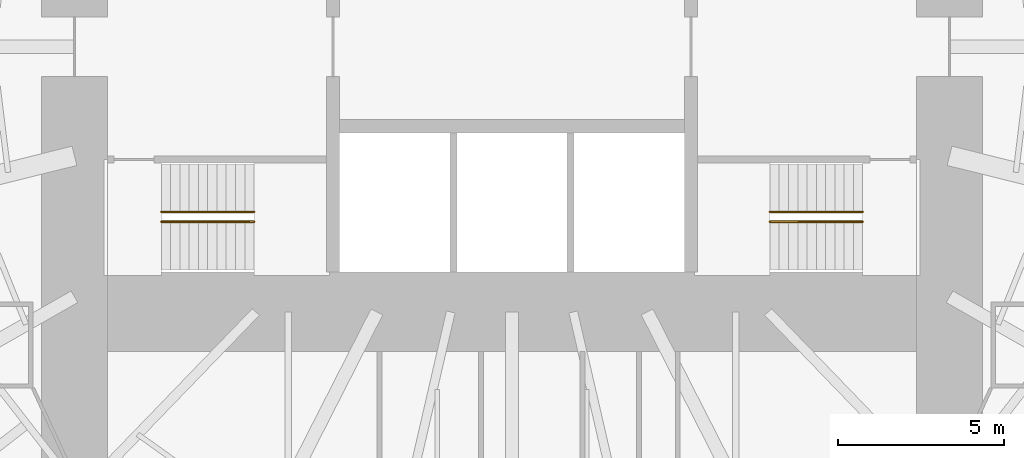
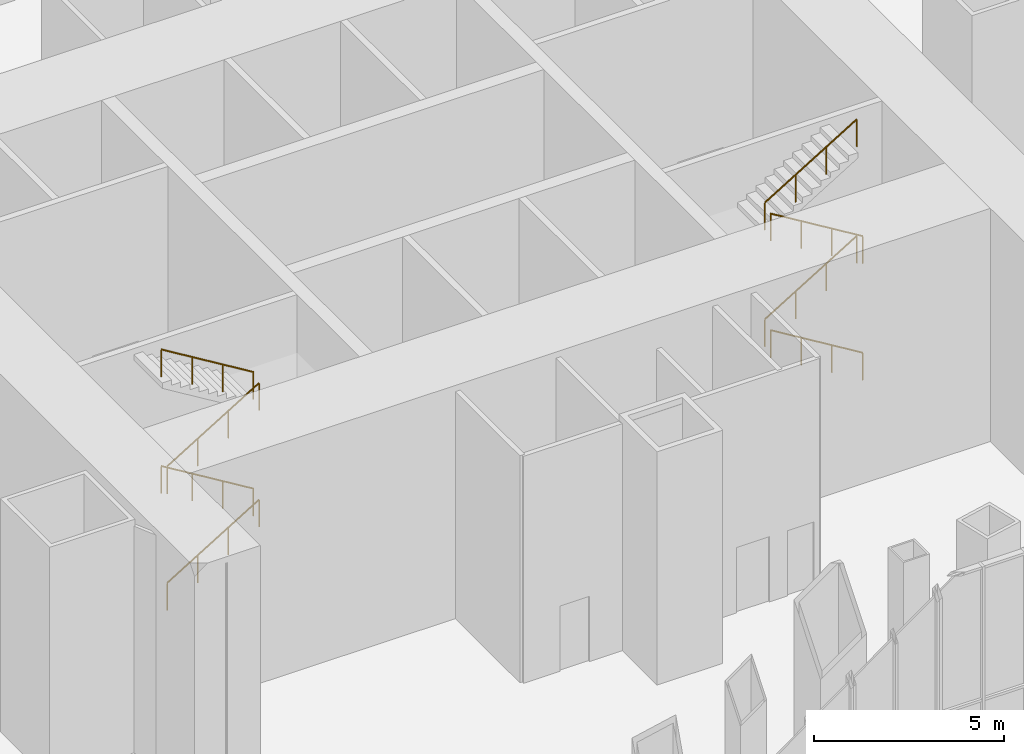
# One storey, part 73 of 73: 8 railings.
"""IFC4 building model written with IfcOpenShell, lengths in metres."""

from ifc_helpers import new_model, si_unit, direction, frame, origin, origin_2d, place, context, subcontext, project, spatial, circle, extrude, material, type_object, element, save


model = new_model("IFC4")

# Units and contexts
model_context = context("Model", 3, precision=1e-05, world=origin(), true_north=direction((0.0, 1.0)))
body_context = subcontext(model_context, "Body", "Model", "MODEL_VIEW")
ifc_project = project(units=[si_unit("LENGTHUNIT", "METRE"), si_unit("AREAUNIT", "SQUARE_METRE"), si_unit("VOLUMEUNIT", "CUBIC_METRE"), si_unit("PLANEANGLEUNIT", "RADIAN"), si_unit("MASSUNIT", "GRAM", prefix="KILO")], contexts=[model_context])

# Site, building, storey
site_placement = place(None, origin())
site = spatial("IfcSite", under=ifc_project, at=site_placement, CompositionType="ELEMENT")
building_placement = place(site_placement, origin())
building = spatial("IfcBuilding", under=site, at=building_placement, Name="Lantaw Convention Tower", CompositionType="ELEMENT")
storey_placement = place(building_placement, frame((0.0, 0.0, 14.5)))
storey = spatial("IfcBuildingStorey", under=building, at=storey_placement, Name="L02", CompositionType="ELEMENT", Elevation=14.5)

# Railings
ifc_material = material(Name="Stainless steel", Category="steel")
railing_type = type_object("IfcRailingType", Name="Stair handrail", PredefinedType="HANDRAIL", material=ifc_material)
railing_1_placement = place(storey_placement, frame((-10.580078125, -5.280029296875, 0.17041015625)))
element("IfcRailing", 1, at=railing_1_placement, inside=storey, type_object=railing_type, Name="Stair handrail S1", PredefinedType="HANDRAIL", context=body_context, shape_type="SweptSolid", body=[
    extrude(circle(Radius=0.02392578125, at=origin_2d()), frame((0.0, 0.0, 0.8759765625), z_axis=(0.854169791009, 0.0, 0.51999420009), x_axis=(0.0, 1.0, 0.0)), (0.0, 0.0, 1.0), 3.278076171875),
    extrude(circle(Radius=0.02099609375, at=origin_2d()), origin(), (0.0, 0.0, 1.0), 0.851806640625),
    extrude(circle(Radius=0.02099609375, at=origin_2d()), frame((0.933349609375, 0.0, 0.568115234375)), (0.0, 0.0, 1.0), 0.851806640625),
    extrude(circle(Radius=0.02099609375, at=origin_2d()), frame((1.86669921875, 0.0, 1.136474609375)), (0.0, 0.0, 1.0), 0.851806640625),
    extrude(circle(Radius=0.02099609375, at=origin_2d()), frame((2.800048828125, 0.0, 1.70458984375)), (0.0, 0.0, 1.0), 0.851806640625),
])
railing_2_placement = place(storey_placement, frame((-7.780029296875, -4.97998046875, 2.04541015625)))
element("IfcRailing", 2, at=railing_2_placement, inside=storey, type_object=railing_type, Name="Stair handrail S1", PredefinedType="HANDRAIL", context=body_context, shape_type="SweptSolid", body=[
    extrude(circle(Radius=0.02392578125, at=origin_2d()), frame((0.0, 0.0, 0.8759765625), z_axis=(-0.854169791009, 0.0, 0.51999420009), x_axis=(0.0, -1.0, 0.0)), (0.0, 0.0, 1.0), 3.278076171875),
    extrude(circle(Radius=0.02099609375, at=origin_2d()), origin(), (0.0, 0.0, 1.0), 0.851806640625),
    extrude(circle(Radius=0.02099609375, at=origin_2d()), frame((-0.933349609375, 0.0, 0.568115234375)), (0.0, 0.0, 1.0), 0.851806640625),
    extrude(circle(Radius=0.02099609375, at=origin_2d()), frame((-1.86669921875, 0.0, 1.136474609375)), (0.0, 0.0, 1.0), 0.851806640625),
    extrude(circle(Radius=0.02099609375, at=origin_2d()), frame((-2.800048828125, 0.0, 1.70458984375)), (0.0, 0.0, 1.0), 0.851806640625),
])
railing_3_placement = place(storey_placement, frame((-10.580078125, -5.280029296875, 3.92041015625)))
element("IfcRailing", 3, at=railing_3_placement, inside=storey, type_object=railing_type, Name="Stair handrail S1", PredefinedType="HANDRAIL", context=body_context, shape_type="SweptSolid", body=[
    extrude(circle(Radius=0.02392578125, at=origin_2d()), frame((0.0, 0.0, 0.8759765625), z_axis=(0.854169791009, 0.0, 0.51999420009), x_axis=(0.0, 1.0, 0.0)), (0.0, 0.0, 1.0), 3.278076171875),
    extrude(circle(Radius=0.02099609375, at=origin_2d()), origin(), (0.0, 0.0, 1.0), 0.851806640625),
    extrude(circle(Radius=0.02099609375, at=origin_2d()), frame((0.933349609375, 0.0, 0.568115234375)), (0.0, 0.0, 1.0), 0.851806640625),
    extrude(circle(Radius=0.02099609375, at=origin_2d()), frame((1.86669921875, 0.0, 1.136474609375)), (0.0, 0.0, 1.0), 0.851806640625),
    extrude(circle(Radius=0.02099609375, at=origin_2d()), frame((2.800048828125, 0.0, 1.70458984375)), (0.0, 0.0, 1.0), 0.851806640625),
])
for number, where, name in (
    (4, (-7.780029296875, -4.97998046875, 5.79541015625), "Stair handrail S1"),
    (5, (10.580078125, -5.280029296875, 0.17041015625), "Stair handrail S2"),
):
    element("IfcRailing", number, at=place(storey_placement, frame(where)), inside=storey, type_object=railing_type, Name=name, PredefinedType="HANDRAIL", context=body_context, shape_type="SweptSolid", body=[
        extrude(circle(Radius=0.02392578125, at=origin_2d()), frame((0.0, 0.0, 0.8759765625), z_axis=(-0.854169791009, 0.0, 0.51999420009), x_axis=(0.0, -1.0, 0.0)), (0.0, 0.0, 1.0), 3.278076171875),
        extrude(circle(Radius=0.02099609375, at=origin_2d()), origin(), (0.0, 0.0, 1.0), 0.851806640625),
        extrude(circle(Radius=0.02099609375, at=origin_2d()), frame((-0.933349609375, 0.0, 0.568115234375)), (0.0, 0.0, 1.0), 0.851806640625),
        extrude(circle(Radius=0.02099609375, at=origin_2d()), frame((-1.86669921875, 0.0, 1.136474609375)), (0.0, 0.0, 1.0), 0.851806640625),
        extrude(circle(Radius=0.02099609375, at=origin_2d()), frame((-2.800048828125, 0.0, 1.70458984375)), (0.0, 0.0, 1.0), 0.851806640625),
    ])
railing_4_placement = place(storey_placement, frame((7.780029296875, -4.97998046875, 2.04541015625)))
element("IfcRailing", 6, at=railing_4_placement, inside=storey, type_object=railing_type, Name="Stair handrail S2", PredefinedType="HANDRAIL", context=body_context, shape_type="SweptSolid", body=[
    extrude(circle(Radius=0.02392578125, at=origin_2d()), frame((0.0, 0.0, 0.8759765625), z_axis=(0.854169791009, 0.0, 0.51999420009), x_axis=(0.0, 1.0, 0.0)), (0.0, 0.0, 1.0), 3.278076171875),
    extrude(circle(Radius=0.02099609375, at=origin_2d()), origin(), (0.0, 0.0, 1.0), 0.851806640625),
    extrude(circle(Radius=0.02099609375, at=origin_2d()), frame((0.933349609375, 0.0, 0.568115234375)), (0.0, 0.0, 1.0), 0.851806640625),
    extrude(circle(Radius=0.02099609375, at=origin_2d()), frame((1.86669921875, 0.0, 1.136474609375)), (0.0, 0.0, 1.0), 0.851806640625),
    extrude(circle(Radius=0.02099609375, at=origin_2d()), frame((2.800048828125, 0.0, 1.70458984375)), (0.0, 0.0, 1.0), 0.851806640625),
])
railing_5_placement = place(storey_placement, frame((10.580078125, -5.280029296875, 3.92041015625)))
element("IfcRailing", 7, at=railing_5_placement, inside=storey, type_object=railing_type, Name="Stair handrail S2", PredefinedType="HANDRAIL", context=body_context, shape_type="SweptSolid", body=[
    extrude(circle(Radius=0.02392578125, at=origin_2d()), frame((0.0, 0.0, 0.8759765625), z_axis=(-0.854169791009, 0.0, 0.51999420009), x_axis=(0.0, -1.0, 0.0)), (0.0, 0.0, 1.0), 3.278076171875),
    extrude(circle(Radius=0.02099609375, at=origin_2d()), origin(), (0.0, 0.0, 1.0), 0.851806640625),
    extrude(circle(Radius=0.02099609375, at=origin_2d()), frame((-0.933349609375, 0.0, 0.568115234375)), (0.0, 0.0, 1.0), 0.851806640625),
    extrude(circle(Radius=0.02099609375, at=origin_2d()), frame((-1.86669921875, 0.0, 1.136474609375)), (0.0, 0.0, 1.0), 0.851806640625),
    extrude(circle(Radius=0.02099609375, at=origin_2d()), frame((-2.800048828125, 0.0, 1.70458984375)), (0.0, 0.0, 1.0), 0.851806640625),
])
railing_6_placement = place(storey_placement, frame((7.780029296875, -4.97998046875, 5.79541015625)))
element("IfcRailing", 8, at=railing_6_placement, inside=storey, type_object=railing_type, Name="Stair handrail S2", PredefinedType="HANDRAIL", context=body_context, shape_type="SweptSolid", body=[
    extrude(circle(Radius=0.02392578125, at=origin_2d()), frame((0.0, 0.0, 0.8759765625), z_axis=(0.854169791009, 0.0, 0.51999420009), x_axis=(0.0, 1.0, 0.0)), (0.0, 0.0, 1.0), 3.278076171875),
    extrude(circle(Radius=0.02099609375, at=origin_2d()), origin(), (0.0, 0.0, 1.0), 0.851806640625),
    extrude(circle(Radius=0.02099609375, at=origin_2d()), frame((0.933349609375, 0.0, 0.568115234375)), (0.0, 0.0, 1.0), 0.851806640625),
    extrude(circle(Radius=0.02099609375, at=origin_2d()), frame((1.86669921875, 0.0, 1.136474609375)), (0.0, 0.0, 1.0), 0.851806640625),
    extrude(circle(Radius=0.02099609375, at=origin_2d()), frame((2.800048828125, 0.0, 1.70458984375)), (0.0, 0.0, 1.0), 0.851806640625),
])

save(model, "model.ifc")
